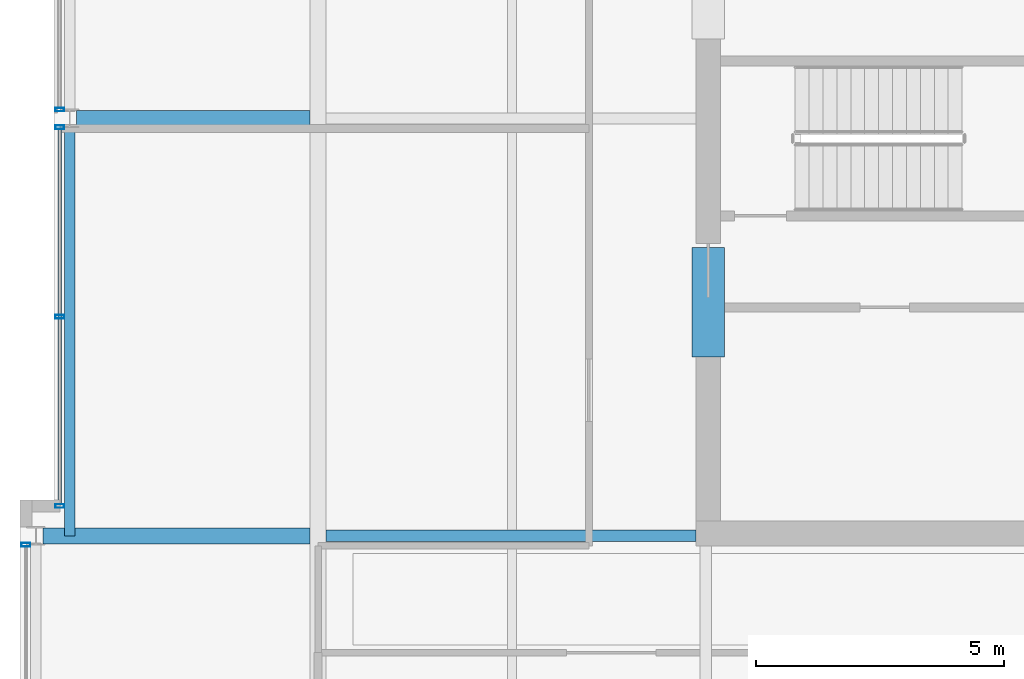
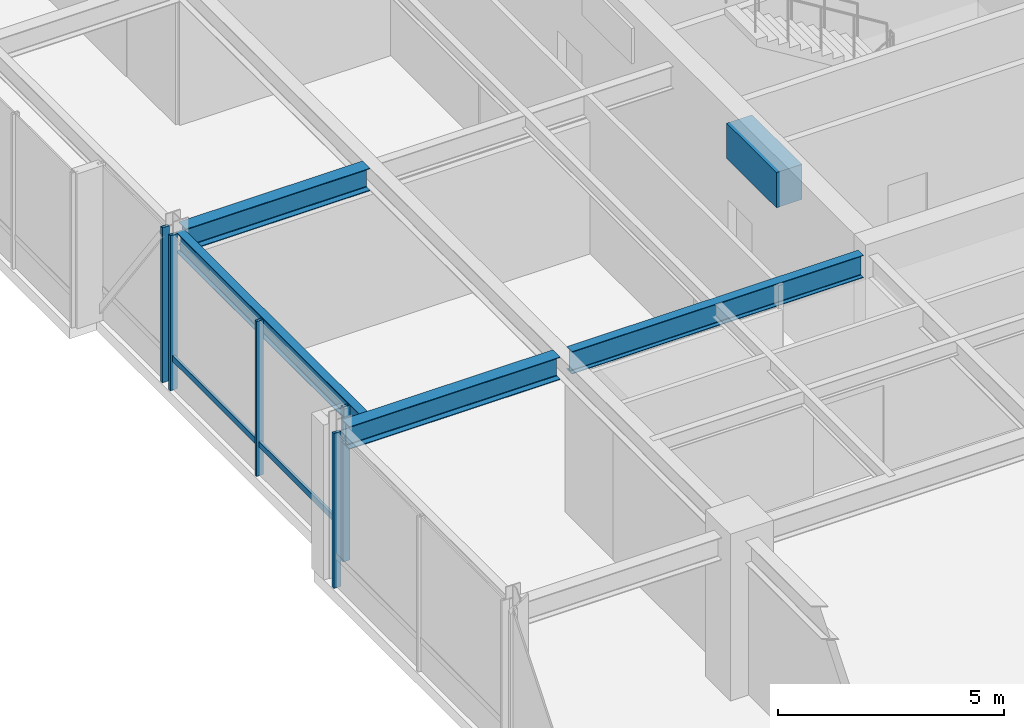
# One storey, part 9 of 32: 6 members, 5 beams, 3 elements without a shape of their own.
"""IFC4 building model written with IfcOpenShell, lengths in metres."""

from ifc_helpers import new_model, si_unit, direction, frame, origin, origin_2d, place, context, subcontext, project, spatial, rectangle, hollow_rectangle, i_section, extrude, material, layer, layer_set, material_profile, profile_set, type_object, element, aggregate, save


model = new_model("IFC4")

# Units and contexts
model_context = context("Model", 3, precision=1e-05, world=origin(), true_north=direction((0.0, 1.0)))
body_context = subcontext(model_context, "Body", "Model", "MODEL_VIEW")
ifc_project = project(units=[si_unit("LENGTHUNIT", "METRE"), si_unit("AREAUNIT", "SQUARE_METRE"), si_unit("VOLUMEUNIT", "CUBIC_METRE"), si_unit("PLANEANGLEUNIT", "RADIAN"), si_unit("MASSUNIT", "GRAM", prefix="KILO")], contexts=[model_context])

# Site, building, storey
site_placement = place(None, origin())
site = spatial("IfcSite", under=ifc_project, at=site_placement, CompositionType="ELEMENT")
building_placement = place(site_placement, origin())
building = spatial("IfcBuilding", under=site, at=building_placement, Name="Drelvath Grand Hotel", CompositionType="ELEMENT")
storey_placement = place(building_placement, frame((0.0, 0.0, 255.5)))
storey = spatial("IfcBuildingStorey", under=building, at=storey_placement, Name="L67", CompositionType="ELEMENT", Elevation=255.5)

# Beam
ifc_material_1 = material(Name="Concrete f'c 55 MPa", Category="concrete")
ifc_material_profile_1 = material_profile(ifc_material_1, rectangle(XDim=0.64990234375, YDim=0.949951171875, at=origin_2d()), Name="CB650X950")
ifc_profile_set_1 = profile_set([ifc_material_profile_1], Name="Concrete f'c 55 MPa")
beam_type_1 = type_object("IfcBeamType", Name="Core Coupling Lintel CB650X950", PredefinedType="LINTEL", material=ifc_profile_set_1)
beam_1_placement = place(storey_placement, frame((-8.35009765625, 22.199951171875, 3.705078125), z_axis=(0.0, 1.0, 0.0), x_axis=(-1.0, 0.0, 0.0)))
element("IfcBeam", 1, at=beam_1_placement, inside=storey, type_object=beam_type_1, Name="L67 Core Coupling Lintel WS", PredefinedType="LINTEL", context=body_context, shape_type="SweptSolid", body=[
    extrude(rectangle(XDim=0.64990234375, YDim=0.949951171875, at=origin_2d()), origin(), (0.0, 0.0, 1.0), 2.199951171875),
])

# Curtain wall, member
ifc_material_2 = material(Name="Platinum-Mist Anodised Aluminium Frame", Category="aluminium")
ifc_layer = layer(ifc_material_2, 0.199951171875)
ifc_layer_set = layer_set([ifc_layer], Name="Platinum-Mist Anodised Aluminium Frame")
curtain_wall_type = type_object("IfcCurtainWallType", Name="Stick Curtain Wall CW-05 Platinum Mist High-Rise", PredefinedType="NOTDEFINED", material=ifc_layer_set)
curtain_wall_1_placement = place(storey_placement, origin())
curtain_wall_1 = element("IfcCurtainWall", 2, at=curtain_wall_1_placement, inside=storey, type_object=curtain_wall_type, Name="L67 CW-05 Curtain Wall CW05-L67-WM1", PredefinedType="NOTDEFINED")
ifc_material_profile_2 = material_profile(ifc_material_2, hollow_rectangle(XDim=0.06494140625, YDim=0.159912109375, WallThickness=0.00390625, at=origin_2d()), Name="HSS160X65X4")
ifc_profile_set_2 = profile_set([ifc_material_profile_2], Name="Platinum-Mist Anodised Aluminium Frame")
member_type_1 = type_object("IfcMemberType", Name="Curtain Wall Horizontal Transom CW-05 HSS160X65X4", PredefinedType="USERDEFINED", material=ifc_profile_set_2)
member_1_placement = place(storey_placement, frame((-21.39990234375, 19.239990234375, 0.85009765625), z_axis=(0.0, 1.0, 0.0), x_axis=(-1.0, 0.0, 0.0)))
member_1 = element("IfcMember", 3, at=member_1_placement, type_object=member_type_1, Name="CW05-L67-WM1 Sill Transom", ObjectType="TRANSOM", PredefinedType="USERDEFINED", context=body_context, shape_type="SweptSolid", body=[
    extrude(hollow_rectangle(XDim=0.06494140625, YDim=0.159912109375, WallThickness=0.00390625, at=origin_2d()), origin(), (0.0, 0.0, 1.0), 7.541748046875),
])

curtain_wall_2_placement = place(storey_placement, origin())
curtain_wall_2 = element("IfcCurtainWall", 4, at=curtain_wall_2_placement, inside=storey, type_object=curtain_wall_type, Name="L67 CW-05 Curtain Wall CW05-L67-WS2", PredefinedType="NOTDEFINED")
ifc_material_profile_3 = material_profile(ifc_material_2, hollow_rectangle(XDim=0.074951171875, YDim=0.179931640625, WallThickness=0.0048828125, at=origin_2d()), Name="HSS180X75X5")
ifc_profile_set_3 = profile_set([ifc_material_profile_3], Name="Platinum-Mist Anodised Aluminium Frame")
member_type_2 = type_object("IfcMemberType", Name="Curtain Wall Vertical Mullion CW-05 HSS180X75X5", PredefinedType="MULLION", material=ifc_profile_set_3)
member_2_placement = place(storey_placement, frame((-22.080078125, 18.421875, 0.0), z_axis=(0.0, 0.0, 1.0), x_axis=(0.0, 1.0, 0.0)))
member_2 = element("IfcMember", 5, at=member_2_placement, type_object=member_type_2, Name="CW05-L67-WS2 Mullion 3", PredefinedType="MULLION", context=body_context, shape_type="SweptSolid", body=[
    extrude(hollow_rectangle(XDim=0.074951171875, YDim=0.179931640625, WallThickness=0.0048828125, at=origin_2d()), origin(), (0.0, 0.0, 1.0), 4.179931640625),
])
aggregate(curtain_wall_2, [member_2])

# Member
member_3_placement = place(storey_placement, frame((-21.39990234375, 19.199951171875, 0.0), z_axis=(0.0, 0.0, 1.0), x_axis=(0.0, 1.0, 0.0)))
member_3 = element("IfcMember", 6, at=member_3_placement, type_object=member_type_2, Name="CW05-L67-WM1 Mullion 1", PredefinedType="MULLION", context=body_context, shape_type="SweptSolid", body=[
    extrude(hollow_rectangle(XDim=0.074951171875, YDim=0.179931640625, WallThickness=0.0048828125, at=origin_2d()), origin(), (0.0, 0.0, 1.0), 4.179931640625),
])

member_4_placement = place(storey_placement, frame((-21.39990234375, 23.010986328125, 0.0), z_axis=(0.0, 0.0, 1.0), x_axis=(0.0, 1.0, 0.0)))
member_4 = element("IfcMember", 7, at=member_4_placement, type_object=member_type_2, Name="CW05-L67-WM1 Mullion 2", PredefinedType="MULLION", context=body_context, shape_type="SweptSolid", body=[
    extrude(hollow_rectangle(XDim=0.074951171875, YDim=0.179931640625, WallThickness=0.0048828125, at=origin_2d()), origin(), (0.0, 0.0, 1.0), 4.179931640625),
])

member_5_placement = place(storey_placement, frame((-21.39990234375, 26.82177734375, 0.0), z_axis=(0.0, 0.0, 1.0), x_axis=(0.0, 1.0, 0.0)))
member_5 = element("IfcMember", 8, at=member_5_placement, type_object=member_type_2, Name="CW05-L67-WM1 Mullion 3", PredefinedType="MULLION", context=body_context, shape_type="SweptSolid", body=[
    extrude(hollow_rectangle(XDim=0.074951171875, YDim=0.179931640625, WallThickness=0.0048828125, at=origin_2d()), origin(), (0.0, 0.0, 1.0), 4.179931640625),
])

aggregate(curtain_wall_1, [member_3, member_4, member_5, member_1])

# Curtain wall, member
curtain_wall_3_placement = place(storey_placement, origin())
curtain_wall_3 = element("IfcCurtainWall", 9, at=curtain_wall_3_placement, inside=storey, type_object=curtain_wall_type, Name="L67 CW-05 Curtain Wall CW05-L67-WM2", PredefinedType="NOTDEFINED")
member_6_placement = place(storey_placement, frame((-21.39990234375, 27.17822265625, 0.0), z_axis=(0.0, 0.0, 1.0), x_axis=(0.0, 1.0, 0.0)))
member_6 = element("IfcMember", 10, at=member_6_placement, type_object=member_type_2, Name="CW05-L67-WM2 Mullion 1", PredefinedType="MULLION", context=body_context, shape_type="SweptSolid", body=[
    extrude(hollow_rectangle(XDim=0.074951171875, YDim=0.179931640625, WallThickness=0.0048828125, at=origin_2d()), origin(), (0.0, 0.0, 1.0), 4.179931640625),
])
aggregate(curtain_wall_3, [member_6])

# Beams
ifc_material_3 = material(Name="Steel ASTM A992 Gr 50", Category="steel")
ifc_material_profile_4 = material_profile(ifc_material_3, i_section(OverallWidth=0.210205078125, OverallDepth=0.53662109375, WebThickness=0.010986328125, FlangeThickness=0.017333984375, FilletRadius=0.01806640625, at=origin_2d()), Name="W21X68")
ifc_profile_set_4 = profile_set([ifc_material_profile_4], Name="Steel ASTM A992 Gr 50")
beam_type_2 = type_object("IfcBeamType", Name="Perimeter Spandrel Beam W21X68", PredefinedType="SPANDREL", material=ifc_profile_set_4)
beam_2_placement = place(storey_placement, frame((-21.199951171875, 18.60009765625, 3.91162109375), z_axis=(0.0, 1.0, 0.0), x_axis=(-1.0, 0.0, 0.0)))
element("IfcBeam", 11, at=beam_2_placement, inside=storey, type_object=beam_type_2, Name="L67 Spandrel West Mid S", PredefinedType="SPANDREL", context=body_context, shape_type="SweptSolid", body=[
    extrude(i_section(OverallWidth=0.210205078125, OverallDepth=0.53662109375, WebThickness=0.010986328125, FlangeThickness=0.017333984375, FilletRadius=0.01806640625, at=origin_2d()), origin(), (0.0, 0.0, 1.0), 8.260009765625),
])
ifc_material_profile_5 = material_profile(ifc_material_3, i_section(OverallWidth=0.323974609375, OverallDepth=0.611083984375, WebThickness=0.0126953125, FlangeThickness=0.01904296875, FilletRadius=0.02197265625, at=origin_2d()), Name="W24X104")
ifc_profile_set_5 = profile_set([ifc_material_profile_5], Name="Steel ASTM A992 Gr 50")
beam_type_3 = type_object("IfcBeamType", Name="Primary Floor Girder W24X104", PredefinedType="BEAM", material=ifc_profile_set_5)
beam_3_placement = place(storey_placement, frame((-21.739990234375, 18.60009765625, 3.87451171875), z_axis=(1.0, 0.0, 0.0), x_axis=(0.0, 1.0, 0.0)))
element("IfcBeam", 12, at=beam_3_placement, inside=storey, type_object=beam_type_3, Name="L67 West Wing Girder D", PredefinedType="BEAM", context=body_context, shape_type="SweptSolid", body=[
    extrude(i_section(OverallWidth=0.323974609375, OverallDepth=0.611083984375, WebThickness=0.0126953125, FlangeThickness=0.01904296875, FilletRadius=0.02197265625, at=origin_2d()), origin(), (0.0, 0.0, 1.0), 5.3779296875),
])
beam_4_placement = place(storey_placement, frame((-21.06005859375, 27.0, 3.87451171875), z_axis=(1.0, 0.0, 0.0), x_axis=(0.0, 1.0, 0.0)))
element("IfcBeam", 13, at=beam_4_placement, inside=storey, type_object=beam_type_3, Name="L67 West Wing Girder E", PredefinedType="BEAM", context=body_context, shape_type="SweptSolid", body=[
    extrude(i_section(OverallWidth=0.323974609375, OverallDepth=0.611083984375, WebThickness=0.0126953125, FlangeThickness=0.01904296875, FilletRadius=0.02197265625, at=origin_2d()), origin(), (0.0, 0.0, 1.0), 4.697998046875),
])
ifc_material_profile_6 = material_profile(ifc_material_3, i_section(OverallWidth=0.228271484375, OverallDepth=0.607666015625, WebThickness=0.01123046875, FlangeThickness=0.017333984375, FilletRadius=0.02001953125, at=origin_2d()), Name="W24X76")
ifc_profile_set_6 = profile_set([ifc_material_profile_6], Name="Steel ASTM A992 Gr 50")
beam_type_4 = type_object("IfcBeamType", Name="Primary Floor Girder W24X76", PredefinedType="BEAM", material=ifc_profile_set_6)
beam_5_placement = place(storey_placement, frame((-16.0380859375, 18.60009765625, 3.876220703125), z_axis=(1.0, 0.0, 0.0), x_axis=(0.0, 1.0, 0.0)))
element("IfcBeam", 14, at=beam_5_placement, inside=storey, type_object=beam_type_4, Name="L67 West Core Tie D", PredefinedType="BEAM", context=body_context, shape_type="SweptSolid", body=[
    extrude(i_section(OverallWidth=0.228271484375, OverallDepth=0.607666015625, WebThickness=0.01123046875, FlangeThickness=0.017333984375, FilletRadius=0.02001953125, at=origin_2d()), origin(), (0.0, 0.0, 1.0), 7.43798828125),
])

save(model, "model.ifc")
